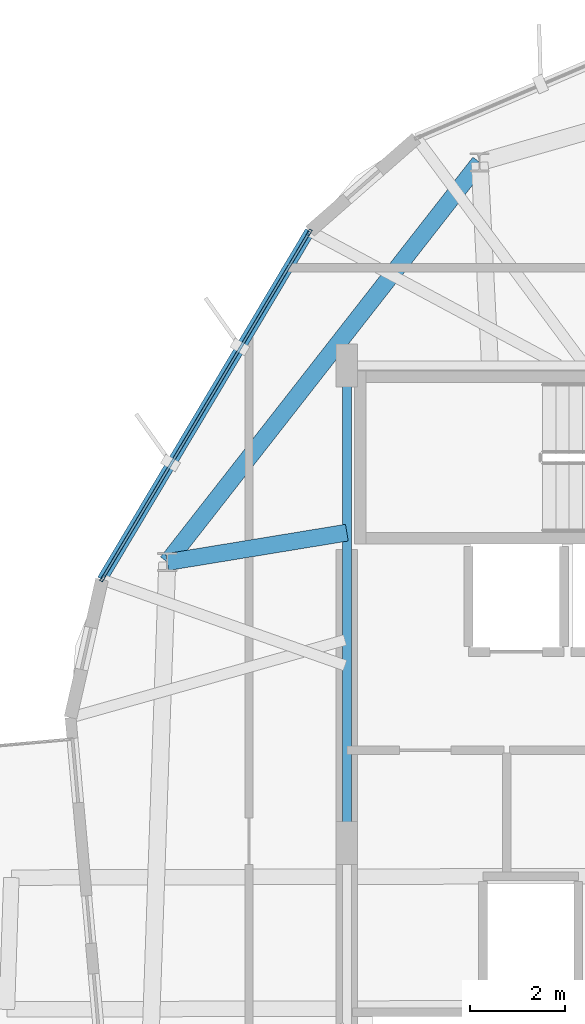
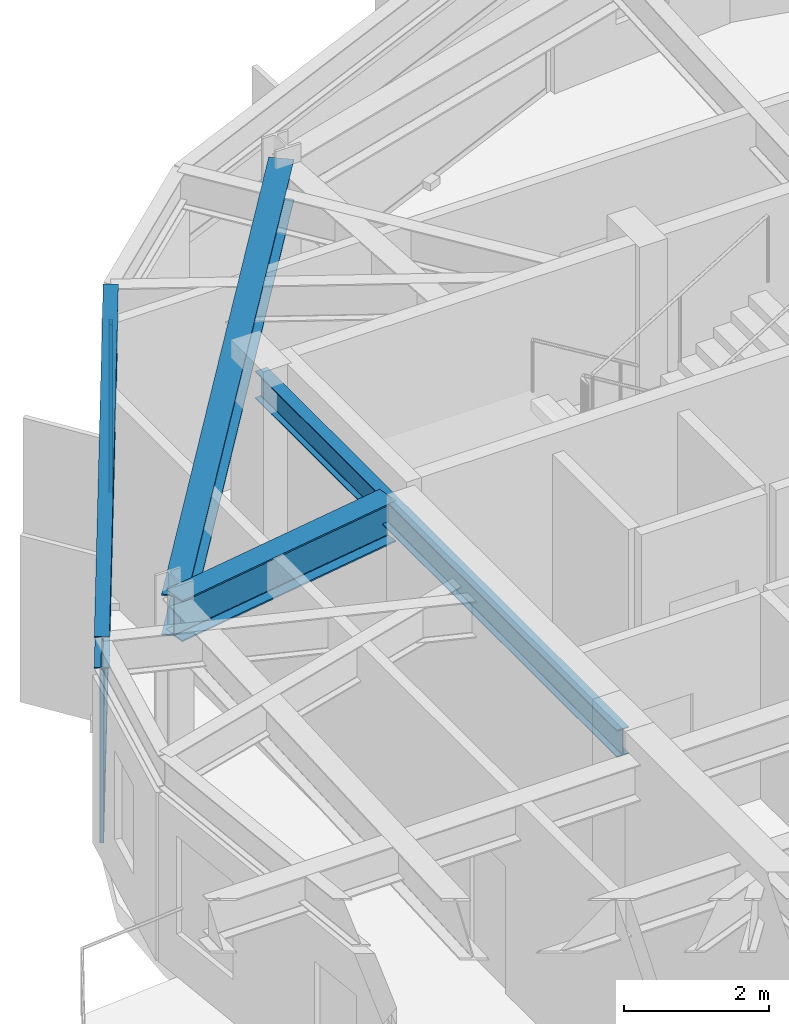
# One storey, part 8 of 23: 5 members, 4 beams, 1 element without a shape of its own.
"""IFC4 building model written with IfcOpenShell, lengths in metres."""

from ifc_helpers import new_model, si_unit, direction, frame, origin, origin_2d, place, context, subcontext, project, spatial, hollow_rectangle, i_section, extrude, material, layer, layer_set, material_profile, profile_set, type_object, element, aggregate, save


model = new_model("IFC4")

# Units and contexts
model_context = context("Model", 3, precision=1e-05, world=origin(), true_north=direction((0.0, 1.0)))
body_context = subcontext(model_context, "Body", "Model", "MODEL_VIEW")
ifc_project = project(units=[si_unit("LENGTHUNIT", "METRE"), si_unit("AREAUNIT", "SQUARE_METRE"), si_unit("VOLUMEUNIT", "CUBIC_METRE"), si_unit("PLANEANGLEUNIT", "RADIAN"), si_unit("MASSUNIT", "GRAM", prefix="KILO")], contexts=[model_context])

# Site, building, storey
site_placement = place(None, origin())
site = spatial("IfcSite", under=ifc_project, at=site_placement, CompositionType="ELEMENT")
building_placement = place(site_placement, origin())
building = spatial("IfcBuilding", under=site, at=building_placement, Name="Soratama Intermodal Tower", CompositionType="ELEMENT")
storey_placement = place(building_placement, frame((0.0, 0.0, 250.0)))
storey = spatial("IfcBuildingStorey", under=building, at=storey_placement, Name="L63", CompositionType="ELEMENT", Elevation=250.0)

# Beams
ifc_material_1 = material(Name="Structural steel ASTM A992 Grade 50", Category="steel")
ifc_material_profile_1 = material_profile(ifc_material_1, i_section(OverallWidth=0.19091796875, OverallDepth=0.4599609375, WebThickness=0.010009765625, FlangeThickness=0.01611328125, FilletRadius=0.010986328125, at=origin_2d()), Name="W18X55")
ifc_profile_set_1 = profile_set([ifc_material_profile_1], Name="Structural steel ASTM A992 Grade 50")
beam_type_1 = type_object("IfcBeamType", Name="BM-FLR-W18X55", PredefinedType="BEAM", material=ifc_profile_set_1)
beam_1_placement = place(storey_placement, frame((32.60009765625, 35.0, 3.219970703125), z_axis=(0.0, -1.0, 0.0), x_axis=(1.0, 0.0, 0.0)))
element("IfcBeam", 1, at=beam_1_placement, inside=storey, type_object=beam_type_1, Name="BM-L63-CRING-08", PredefinedType="BEAM", context=body_context, shape_type="SweptSolid", body=[
    extrude(i_section(OverallWidth=0.19091796875, OverallDepth=0.4599609375, WebThickness=0.010009765625, FlangeThickness=0.01611328125, FilletRadius=0.010986328125, at=origin_2d()), origin(), (0.0, 0.0, 1.0), 10.0),
])
ifc_material_2 = material(Name="Structural steel ASTM A992 Grade 50", Category="steel")
ifc_material_profile_2 = material_profile(ifc_material_2, i_section(OverallWidth=0.35498046875, OverallDepth=0.695068359375, WebThickness=0.015380859375, FlangeThickness=0.02490234375, FilletRadius=0.01611328125, at=origin_2d()), Name="W27X146")
ifc_profile_set_2 = profile_set([ifc_material_profile_2], Name="Structural steel ASTM A992 Grade 50")
beam_type_2 = type_object("IfcBeamType", Name="BM-RING-W27X146", PredefinedType="BEAM", material=ifc_profile_set_2)
beam_2_placement = place(storey_placement, frame((35.382080078125, 39.259033203125, 3.1025390625), z_axis=(-0.6157278291, -0.787958907858, 0.0), x_axis=(0.787958907858, -0.6157278291, 0.0)))
element("IfcBeam", 2, at=beam_2_placement, inside=storey, type_object=beam_type_2, Name="BM-L63-RING-04", PredefinedType="BEAM", context=body_context, shape_type="SweptSolid", body=[
    extrude(i_section(OverallWidth=0.35498046875, OverallDepth=0.695068359375, WebThickness=0.015380859375, FlangeThickness=0.02490234375, FilletRadius=0.01611328125, at=origin_2d()), origin(), (0.0, 0.0, 1.0), 10.6298828125),
])
beam_3_placement = place(storey_placement, frame((32.60009765625, 31.5, 3.1025390625), z_axis=(-0.986826492219, -0.161782181513, 0.0), x_axis=(0.161782181513, -0.986826492219, 0.0)))
element("IfcBeam", 3, at=beam_3_placement, inside=storey, type_object=beam_type_2, Name="BM-L63-RAD-05", PredefinedType="BEAM", context=body_context, shape_type="SweptSolid", body=[
    extrude(i_section(OverallWidth=0.35498046875, OverallDepth=0.695068359375, WebThickness=0.015380859375, FlangeThickness=0.02490234375, FilletRadius=0.01611328125, at=origin_2d()), origin(), (0.0, 0.0, 1.0), 3.8134765625),
])
ifc_material_3 = material(Name="Structural steel ASTM A992 Grade 50", Category="steel")
ifc_material_profile_3 = material_profile(ifc_material_3, i_section(OverallWidth=0.2099609375, OverallDepth=0.537109375, WebThickness=0.010986328125, FlangeThickness=0.017333984375, FilletRadius=0.012939453125, at=origin_2d()), Name="W21X68")
ifc_profile_set_3 = profile_set([ifc_material_profile_3], Name="Structural steel ASTM A992 Grade 50")
beam_type_3 = type_object("IfcBeamType", Name="BM-SPN-W21X68", PredefinedType="SPANDREL", material=ifc_profile_set_3)
beam_4_placement = place(storey_placement, frame((31.826904296875, 37.81494140625, 3.181396484375), z_axis=(-0.512610549682, -0.858621234512, 0.0), x_axis=(0.858621234512, -0.512610549682, 0.0)))
element("IfcBeam", 4, at=beam_4_placement, inside=storey, type_object=beam_type_3, Name="BS-L63-F03", PredefinedType="SPANDREL", context=body_context, shape_type="SweptSolid", body=[
    extrude(i_section(OverallWidth=0.2099609375, OverallDepth=0.537109375, WebThickness=0.010986328125, FlangeThickness=0.017333984375, FilletRadius=0.012939453125, at=origin_2d()), origin(), (0.0, 0.0, 1.0), 8.49951171875),
])

# Curtain wall, members
ifc_material_4 = material(Name="Double-glazed aluminium curtain wall", Category="aluminium")
ifc_layer = layer(ifc_material_4, 0.159912109375)
ifc_layer_set = layer_set([ifc_layer], Name="Double-glazed aluminium curtain wall")
curtain_wall_type = type_object("IfcCurtainWallType", Name="CW-SYS-5", PredefinedType="NOTDEFINED", material=ifc_layer_set)
curtain_wall_placement = place(storey_placement, origin())
curtain_wall = element("IfcCurtainWall", 5, at=curtain_wall_placement, inside=storey, type_object=curtain_wall_type, Name="L63 Faceted Curtain Wall F03", PredefinedType="NOTDEFINED")
ifc_material_5 = material(Name="Anodised aluminium AA 6063-T6", Category="aluminium")
ifc_material_profile_4 = material_profile(ifc_material_5, hollow_rectangle(XDim=0.06494140625, YDim=0.139892578125, WallThickness=0.0048828125, InnerFilletRadius=0.0048828125, OuterFilletRadius=0.010009765625, at=origin_2d()), Name="CWM140X65X5")
ifc_profile_set_4 = profile_set([ifc_material_profile_4], Name="Anodised aluminium AA 6063-T6")
member_type_1 = type_object("IfcMemberType", Name="MT-CWM-5", PredefinedType="MULLION", material=ifc_profile_set_4)
member_1_placement = place(storey_placement, frame((31.8115234375, 37.789306640625, 0.0), z_axis=(0.0, 0.0, 1.0), x_axis=(0.85860167142, -0.512643316385, 0.0)))
member_1 = element("IfcMember", 6, at=member_1_placement, type_object=member_type_1, Name="CW-5 mullion 1", PredefinedType="MULLION", context=body_context, shape_type="SweptSolid", body=[
    extrude(hollow_rectangle(XDim=0.06494140625, YDim=0.139892578125, WallThickness=0.0048828125, InnerFilletRadius=0.0048828125, OuterFilletRadius=0.010009765625, at=origin_2d()), origin(), (0.0, 0.0, 1.0), 2.8291015625),
])
member_2_placement = place(storey_placement, frame((27.48486328125, 30.542724609375, 0.0), z_axis=(0.0, 0.0, 1.0), x_axis=(0.85860167142, -0.512643316385, 0.0)))
member_2 = element("IfcMember", 7, at=member_2_placement, type_object=member_type_1, Name="CW-5 mullion 2", PredefinedType="MULLION", context=body_context, shape_type="SweptSolid", body=[
    extrude(hollow_rectangle(XDim=0.06494140625, YDim=0.139892578125, WallThickness=0.0048828125, InnerFilletRadius=0.0048828125, OuterFilletRadius=0.010009765625, at=origin_2d()), origin(), (0.0, 0.0, 1.0), 2.8291015625),
])
ifc_material_6 = material(Name="Anodised aluminium AA 6063-T6", Category="aluminium")
ifc_material_profile_5 = material_profile(ifc_material_6, hollow_rectangle(XDim=0.06005859375, YDim=0.1298828125, WallThickness=0.0048828125, InnerFilletRadius=0.0048828125, OuterFilletRadius=0.010009765625, at=origin_2d()), Name="CWT130X60X5")
ifc_profile_set_5 = profile_set([ifc_material_profile_5], Name="Anodised aluminium AA 6063-T6")
member_type_2 = type_object("IfcMemberType", Name="TT-CWT-2", PredefinedType="USERDEFINED", material=ifc_profile_set_5)
member_3_placement = place(storey_placement, frame((31.796142578125, 37.763427734375, 0.030029296875), z_axis=(-0.512652233618, -0.858596347166, 0.0), x_axis=(0.858596347166, -0.512652233618, 0.0)))
member_3 = element("IfcMember", 8, at=member_3_placement, type_object=member_type_2, Name="CW-5 transom 1.1", ObjectType="TRANSOM", PredefinedType="USERDEFINED", context=body_context, shape_type="SweptSolid", body=[
    extrude(hollow_rectangle(XDim=0.06005859375, YDim=0.1298828125, WallThickness=0.0048828125, InnerFilletRadius=0.0048828125, OuterFilletRadius=0.010009765625, at=origin_2d()), origin(), (0.0, 0.0, 1.0), 8.379638671875),
])
member_4_placement = place(storey_placement, frame((31.796142578125, 37.763427734375, 2.14990234375), z_axis=(-0.512652233618, -0.858596347166, 0.0), x_axis=(0.858596347166, -0.512652233618, 0.0)))
member_4 = element("IfcMember", 9, at=member_4_placement, type_object=member_type_2, Name="CW-5 transom 1.2", ObjectType="TRANSOM", PredefinedType="USERDEFINED", context=body_context, shape_type="SweptSolid", body=[
    extrude(hollow_rectangle(XDim=0.06005859375, YDim=0.1298828125, WallThickness=0.0048828125, InnerFilletRadius=0.0048828125, OuterFilletRadius=0.010009765625, at=origin_2d()), origin(), (0.0, 0.0, 1.0), 8.379638671875),
])
member_5_placement = place(storey_placement, frame((31.796142578125, 37.763427734375, 2.799072265625), z_axis=(-0.512652233618, -0.858596347166, 0.0), x_axis=(0.858596347166, -0.512652233618, 0.0)))
member_5 = element("IfcMember", 10, at=member_5_placement, type_object=member_type_2, Name="CW-5 transom 1.3", ObjectType="TRANSOM", PredefinedType="USERDEFINED", context=body_context, shape_type="SweptSolid", body=[
    extrude(hollow_rectangle(XDim=0.06005859375, YDim=0.1298828125, WallThickness=0.0048828125, InnerFilletRadius=0.0048828125, OuterFilletRadius=0.010009765625, at=origin_2d()), origin(), (0.0, 0.0, 1.0), 8.379638671875),
])
aggregate(curtain_wall, [member_1, member_2, member_3, member_4, member_5])

save(model, "model.ifc")
